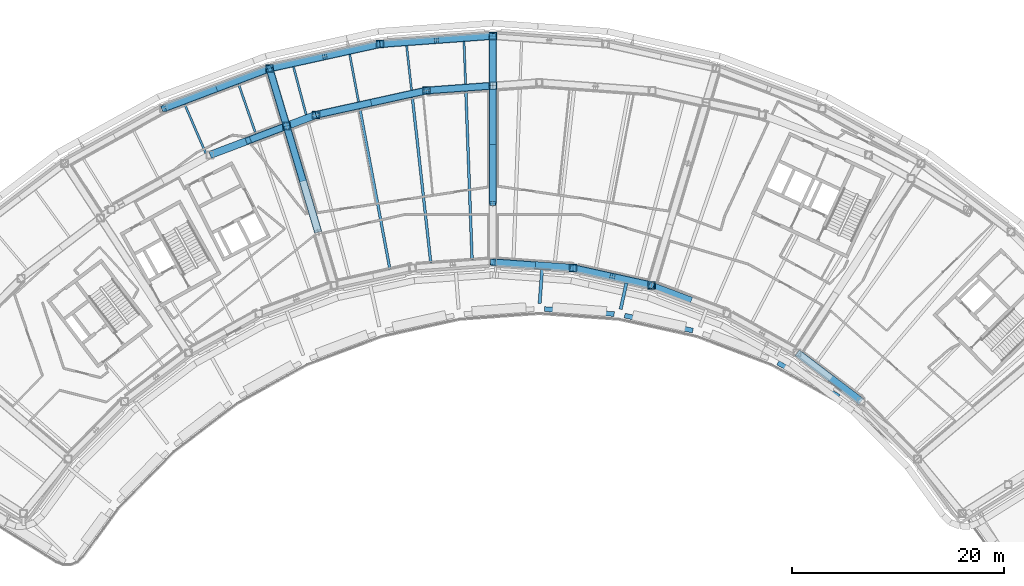
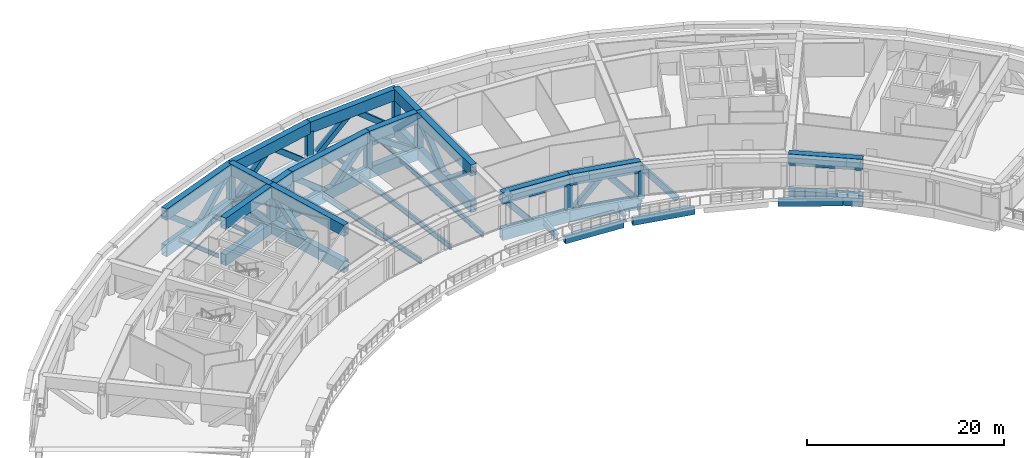
# One storey, part 3 of 26: 42 beams, 29 members.
"""IFC4 building model written with IfcOpenShell, lengths in metres."""

from ifc_helpers import new_model, si_unit, direction, frame, origin, origin_2d, place, context, subcontext, project, spatial, hollow_rectangle, i_section, extrude, material, material_profile, profile_set, type_object, element, save


model = new_model("IFC4")

# Units and contexts
model_context = context("Model", 3, precision=1e-05, world=origin(), true_north=direction((0.0, 1.0)))
body_context = subcontext(model_context, "Body", "Model", "MODEL_VIEW")
ifc_project = project(units=[si_unit("LENGTHUNIT", "METRE"), si_unit("AREAUNIT", "SQUARE_METRE"), si_unit("VOLUMEUNIT", "CUBIC_METRE"), si_unit("PLANEANGLEUNIT", "RADIAN"), si_unit("MASSUNIT", "GRAM", prefix="KILO")], contexts=[model_context])

# Site, building, storey
site_placement = place(None, origin())
site = spatial("IfcSite", under=ifc_project, at=site_placement, CompositionType="ELEMENT")
building_placement = place(site_placement, origin())
building = spatial("IfcBuilding", under=site, at=building_placement, Name="Tuul Gate Civic Tower", CompositionType="ELEMENT")
storey_placement = place(building_placement, frame((0.0, 0.0, 167.60009765625)))
storey = spatial("IfcBuildingStorey", under=building, at=storey_placement, Name="Plant and refuge floor 5", CompositionType="ELEMENT", Elevation=167.60009765625)

# Beams
ifc_material_1 = material(Name="Steel S355", Category="steel")
ifc_material_profile_1 = material_profile(ifc_material_1, i_section(OverallWidth=0.199951171875, OverallDepth=0.5, WebThickness=0.010009765625, FlangeThickness=0.01611328125, at=origin_2d()), Name="PG500x200x10x16")
ifc_profile_set_1 = profile_set([ifc_material_profile_1], Name="Steel S355")
beam_type_1 = type_object("IfcBeamType", Name="STR-FLOOR BEAM-PG500x200x10x16", PredefinedType="BEAM", material=ifc_profile_set_1)
beam_1_placement = place(storey_placement, frame((-1.577880859375, 9.078857421875, -0.650146484375), z_axis=(-0.03700035054, 0.99931525259, 0.0), x_axis=(-0.99931525259, -0.03700035054, 0.0)))
element("IfcBeam", 1, at=beam_1_placement, inside=storey, type_object=beam_type_1, Name="Floor beam", PredefinedType="BEAM", context=body_context, shape_type="SweptSolid", body=[
    extrude(i_section(OverallWidth=0.199951171875, OverallDepth=0.5, WebThickness=0.010009765625, FlangeThickness=0.01611328125, at=origin_2d()), origin(), (0.0, 0.0, 1.0), 3.991943359375),
])
beam_2_placement = place(storey_placement, frame((-6.6787109375, 8.509033203125, -0.650146484375), z_axis=(-0.110763888265, 0.993846749281, 0.0), x_axis=(-0.993846749281, -0.110763888265, 0.0)))
element("IfcBeam", 2, at=beam_2_placement, inside=storey, type_object=beam_type_1, Name="Floor beam", PredefinedType="BEAM", context=body_context, shape_type="SweptSolid", body=[
    extrude(i_section(OverallWidth=0.199951171875, OverallDepth=0.5, WebThickness=0.010009765625, FlangeThickness=0.01611328125, at=origin_2d()), origin(), (0.0, 0.0, 1.0), 4.1923828125),
])
beam_3_placement = place(storey_placement, frame((-11.679443359375, 7.406982421875, -0.650146484375), z_axis=(-0.18394664401, 0.982936229955, 0.0), x_axis=(-0.982936229955, -0.18394664401, 0.0)))
element("IfcBeam", 3, at=beam_3_placement, inside=storey, type_object=beam_type_1, Name="Floor beam", PredefinedType="BEAM", context=body_context, shape_type="SweptSolid", body=[
    extrude(i_section(OverallWidth=0.199951171875, OverallDepth=0.5, WebThickness=0.010009765625, FlangeThickness=0.01611328125, at=origin_2d()), origin(), (0.0, 0.0, 1.0), 4.527099609375),
])
beam_4_placement = place(storey_placement, frame((-16.624267578125, 6.187744140625, -0.650146484375), z_axis=(-0.256121733338, 0.966644535345, 0.0), x_axis=(-0.966644535345, -0.256121733338, 0.0)))
element("IfcBeam", 4, at=beam_4_placement, inside=storey, type_object=beam_type_1, Name="Floor beam", PredefinedType="BEAM", context=body_context, shape_type="SweptSolid", body=[
    extrude(i_section(OverallWidth=0.199951171875, OverallDepth=0.5, WebThickness=0.010009765625, FlangeThickness=0.01611328125, at=origin_2d()), origin(), (0.0, 0.0, 1.0), 4.655517578125),
])
beam_5_placement = place(storey_placement, frame((-21.382080078125, 4.388427734375, -0.650146484375), z_axis=(-0.326956519578, 0.94503938241, 0.0), x_axis=(-0.94503938241, -0.326956519578, 0.0)))
element("IfcBeam", 5, at=beam_5_placement, inside=storey, type_object=beam_type_1, Name="Floor beam", PredefinedType="BEAM", context=body_context, shape_type="SweptSolid", body=[
    extrude(i_section(OverallWidth=0.199951171875, OverallDepth=0.5, WebThickness=0.010009765625, FlangeThickness=0.01611328125, at=origin_2d()), origin(), (0.0, 0.0, 1.0), 4.95361328125),
])
beam_6_placement = place(storey_placement, frame((-26.1025390625, 2.556396484375, -0.650146484375), z_axis=(-0.395921623043, 0.918284306959, 0.0), x_axis=(-0.918284306959, -0.395921623043, 0.0)))
element("IfcBeam", 6, at=beam_6_placement, inside=storey, type_object=beam_type_1, Name="Floor beam", PredefinedType="BEAM", context=body_context, shape_type="SweptSolid", body=[
    extrude(i_section(OverallWidth=0.199951171875, OverallDepth=0.5, WebThickness=0.010009765625, FlangeThickness=0.01611328125, at=origin_2d()), origin(), (0.0, 0.0, 1.0), 5.0009765625),
])
ifc_material_2 = material(Name="Steel S355", Category="steel")
ifc_material_profile_2 = material_profile(ifc_material_2, i_section(OverallWidth=0.25, OverallDepth=0.64990234375, WebThickness=0.011962890625, FlangeThickness=0.02001953125, at=origin_2d()), Name="PG650x250x12x20")
ifc_profile_set_2 = profile_set([ifc_material_profile_2], Name="Steel S355")
beam_type_2 = type_object("IfcBeamType", Name="STR-FLOOR BEAM-PG650x250x12x20", PredefinedType="BEAM", material=ifc_profile_set_2)
beam_7_placement = place(storey_placement, frame((-0.963134765625, -7.53076171875, -0.72509765625), z_axis=(-0.036987838849, 0.999315715766, 0.0), x_axis=(-0.999315715766, -0.036987838849, 0.0)))
element("IfcBeam", 7, at=beam_7_placement, inside=storey, type_object=beam_type_2, Name="Floor beam", PredefinedType="BEAM", context=body_context, shape_type="SweptSolid", body=[
    extrude(i_section(OverallWidth=0.25, OverallDepth=0.64990234375, WebThickness=0.011962890625, FlangeThickness=0.02001953125, at=origin_2d()), origin(), (0.0, 0.0, 1.0), 15.920654296875),
])
beam_8_placement = place(storey_placement, frame((-4.859130859375, -7.813232421875, -0.72509765625), z_axis=(-0.110782671458, 0.993844655721, 0.0), x_axis=(-0.993844655721, -0.110782671458, 0.0)))
element("IfcBeam", 8, at=beam_8_placement, inside=storey, type_object=beam_type_2, Name="Floor beam", PredefinedType="BEAM", context=body_context, shape_type="SweptSolid", body=[
    extrude(i_section(OverallWidth=0.25, OverallDepth=0.64990234375, WebThickness=0.011962890625, FlangeThickness=0.02001953125, at=origin_2d()), origin(), (0.0, 0.0, 1.0), 15.719482421875),
])
beam_9_placement = place(storey_placement, frame((-8.720458984375, -8.40185546875, -0.72509765625), z_axis=(-0.183972310751, 0.982931426335, 0.0), x_axis=(-0.982931426335, -0.183972310751, 0.0)))
element("IfcBeam", 9, at=beam_9_placement, inside=storey, type_object=beam_type_2, Name="Floor beam", PredefinedType="BEAM", context=body_context, shape_type="SweptSolid", body=[
    extrude(i_section(OverallWidth=0.25, OverallDepth=0.64990234375, WebThickness=0.011962890625, FlangeThickness=0.02001953125, at=origin_2d()), origin(), (0.0, 0.0, 1.0), 15.383056640625),
])
ifc_material_3 = material(Name="Steel S355", Category="steel")
ifc_material_profile_3 = material_profile(ifc_material_3, i_section(OverallWidth=0.300048828125, OverallDepth=0.800048828125, WebThickness=0.013916015625, FlangeThickness=0.02490234375, at=origin_2d()), Name="PG800x300x14x25")
ifc_profile_set_3 = profile_set([ifc_material_profile_3], Name="Steel S355")
beam_type_3 = type_object("IfcBeamType", Name="STR-FLOOR BEAM-PG800x300x14x25", PredefinedType="BEAM", material=ifc_profile_set_3)
beam_10_placement = place(storey_placement, frame((5.41015625, -11.625244140625, -0.800048828125), z_axis=(0.07229696646, 0.997383150369, 0.0), x_axis=(-0.997383150369, 0.07229696646, 0.0)))
element("IfcBeam", 10, at=beam_10_placement, inside=storey, type_object=beam_type_3, Name="Terrace beam", PredefinedType="BEAM", context=body_context, shape_type="SweptSolid", body=[
    extrude(i_section(OverallWidth=0.300048828125, OverallDepth=0.800048828125, WebThickness=0.013916015625, FlangeThickness=0.02490234375, at=origin_2d()), origin(), (0.0, 0.0, 1.0), 3.25537109375),
])
beam_11_placement = place(storey_placement, frame((13.0537109375, -12.184814453125, -0.800048828125), z_axis=(0.215208632536, 0.976568095159, 0.0), x_axis=(-0.976568095159, 0.215208632536, 0.0)))
element("IfcBeam", 11, at=beam_11_placement, inside=storey, type_object=beam_type_3, Name="Terrace beam", PredefinedType="BEAM", context=body_context, shape_type="SweptSolid", body=[
    extrude(i_section(OverallWidth=0.300048828125, OverallDepth=0.800048828125, WebThickness=0.013916015625, FlangeThickness=0.02490234375, at=origin_2d()), origin(), (0.0, 0.0, 1.0), 2.537841796875),
])
ifc_material_4 = material(Name="Steel S355", Category="steel")
ifc_material_profile_4 = material_profile(ifc_material_4, hollow_rectangle(XDim=0.449951171875, YDim=0.89990234375, WallThickness=0.02490234375, at=origin_2d()), Name="BOX900x450x25")
ifc_profile_set_4 = profile_set([ifc_material_profile_4], Name="Steel S355")
beam_type_4 = type_object("IfcBeamType", Name="STR-SPANDREL BEAM-BOX900x450x25", PredefinedType="BEAM", material=ifc_profile_set_4)
beam_12_placement = place(storey_placement, frame((5.872802734375, -12.16015625, -0.85009765625), z_axis=(0.997380460519, -0.072334065112, 0.0), x_axis=(0.072334065112, 0.997380460519, 0.0)))
element("IfcBeam", 12, at=beam_12_placement, inside=storey, type_object=beam_type_4, Name="Terrace edge beam", PredefinedType="BEAM", context=body_context, shape_type="SweptSolid", body=[
    extrude(hollow_rectangle(XDim=0.449951171875, YDim=0.89990234375, WallThickness=0.02490234375, at=origin_2d()), origin(), (0.0, 0.0, 1.0), 6.591796875),
])
beam_13_placement = place(storey_placement, frame((13.434326171875, -12.780517578125, -0.85009765625), z_axis=(0.97655858912, -0.215251764258, 0.0), x_axis=(0.215251764258, 0.97655858912, 0.0)))
element("IfcBeam", 13, at=beam_13_placement, inside=storey, type_object=beam_type_4, Name="Terrace edge beam", PredefinedType="BEAM", context=body_context, shape_type="SweptSolid", body=[
    extrude(hollow_rectangle(XDim=0.449951171875, YDim=0.89990234375, WallThickness=0.02490234375, at=origin_2d()), origin(), (0.0, 0.0, 1.0), 6.592041015625),
])
beam_14_placement = place(storey_placement, frame((27.8984375, -17.234375, -0.85009765625), z_axis=(0.874642541027, -0.484768424535, 0.0), x_axis=(0.484768424535, 0.874642541027, 0.0)))
element("IfcBeam", 14, at=beam_14_placement, inside=storey, type_object=beam_type_4, Name="Terrace edge beam", PredefinedType="BEAM", context=body_context, shape_type="SweptSolid", body=[
    extrude(hollow_rectangle(XDim=0.449951171875, YDim=0.89990234375, WallThickness=0.02490234375, at=origin_2d()), origin(), (0.0, 0.0, 1.0), 6.59130859375),
])
ifc_material_5 = material(Name="Steel S460", Category="steel")
ifc_material_profile_5 = material_profile(ifc_material_5, hollow_rectangle(XDim=0.699951171875, YDim=1.39990234375, WallThickness=0.0400390625, at=origin_2d()), Name="BOX1400x700x40")
ifc_profile_set_5 = profile_set([ifc_material_profile_5], Name="Steel S460")
beam_type_5 = type_object("IfcBeamType", Name="STR-TRANSFER TRUSS CHORD-BOX1400x700x40", PredefinedType="BEAM", material=ifc_profile_set_5)
beam_15_placement = place(storey_placement, frame((-20.0869140625, 10.5458984375, -1.10009765625), z_axis=(0.285204587303, -0.958466662634, 0.0), x_axis=(0.958466662634, 0.285204587303, 0.0)))
element("IfcBeam", 15, at=beam_15_placement, inside=storey, type_object=beam_type_5, Name="Radial truss bottom chord", PredefinedType="BEAM", context=body_context, shape_type="SweptSolid", body=[
    extrude(hollow_rectangle(XDim=0.699951171875, YDim=1.39990234375, WallThickness=0.0400390625, at=origin_2d()), origin(), (0.0, 0.0, 1.0), 5.666015625),
])
beam_16_placement = place(storey_placement, frame((-18.470947265625, 5.115234375, -1.10009765625), z_axis=(0.28522296399, -0.958461194213, 0.0), x_axis=(0.958461194213, 0.28522296399, 0.0)))
element("IfcBeam", 16, at=beam_16_placement, inside=storey, type_object=beam_type_5, Name="Radial truss bottom chord", PredefinedType="BEAM", context=body_context, shape_type="SweptSolid", body=[
    extrude(hollow_rectangle(XDim=0.699951171875, YDim=1.39990234375, WallThickness=0.0400390625, at=origin_2d()), origin(), (0.0, 0.0, 1.0), 10.4599609375),
])
beam_17_placement = place(storey_placement, frame((-20.0869140625, 10.5458984375, 3.39990234375), z_axis=(0.285204587303, -0.958466662634, 0.0), x_axis=(0.958466662634, 0.285204587303, 0.0)))
element("IfcBeam", 17, at=beam_17_placement, inside=storey, type_object=beam_type_5, Name="Radial truss top chord", PredefinedType="BEAM", context=body_context, shape_type="SweptSolid", body=[
    extrude(hollow_rectangle(XDim=0.699951171875, YDim=1.39990234375, WallThickness=0.0400390625, at=origin_2d()), origin(), (0.0, 0.0, 1.0), 5.666015625),
])
beam_18_placement = place(storey_placement, frame((-18.470947265625, 5.115234375, 3.39990234375), z_axis=(0.28522296399, -0.958461194213, 0.0), x_axis=(0.958461194213, 0.28522296399, 0.0)))
element("IfcBeam", 18, at=beam_18_placement, inside=storey, type_object=beam_type_5, Name="Radial truss top chord", PredefinedType="BEAM", context=body_context, shape_type="SweptSolid", body=[
    extrude(hollow_rectangle(XDim=0.699951171875, YDim=1.39990234375, WallThickness=0.0400390625, at=origin_2d()), origin(), (0.0, 0.0, 1.0), 10.4599609375),
])
beam_19_placement = place(storey_placement, frame((0.989990234375, 13.615966796875, -1.10009765625), z_axis=(0.0, -1.0, 0.0), x_axis=(1.0, 0.0, 0.0)))
element("IfcBeam", 19, at=beam_19_placement, inside=storey, type_object=beam_type_5, Name="Radial truss bottom chord", PredefinedType="BEAM", context=body_context, shape_type="SweptSolid", body=[
    extrude(hollow_rectangle(XDim=0.699951171875, YDim=1.39990234375, WallThickness=0.0400390625, at=origin_2d()), origin(), (0.0, 0.0, 1.0), 4.701904296875),
])
beam_20_placement = place(storey_placement, frame((0.989990234375, 8.9140625, -1.10009765625), z_axis=(0.0, -1.0, 0.0), x_axis=(1.0, 0.0, 0.0)))
element("IfcBeam", 20, at=beam_20_placement, inside=storey, type_object=beam_type_5, Name="Radial truss bottom chord", PredefinedType="BEAM", context=body_context, shape_type="SweptSolid", body=[
    extrude(hollow_rectangle(XDim=0.699951171875, YDim=1.39990234375, WallThickness=0.0400390625, at=origin_2d()), origin(), (0.0, 0.0, 1.0), 11.102783203125),
])
beam_21_placement = place(storey_placement, frame((0.989990234375, 13.615966796875, 3.39990234375), z_axis=(0.0, -1.0, 0.0), x_axis=(1.0, 0.0, 0.0)))
element("IfcBeam", 21, at=beam_21_placement, inside=storey, type_object=beam_type_5, Name="Radial truss top chord", PredefinedType="BEAM", context=body_context, shape_type="SweptSolid", body=[
    extrude(hollow_rectangle(XDim=0.699951171875, YDim=1.39990234375, WallThickness=0.0400390625, at=origin_2d()), origin(), (0.0, 0.0, 1.0), 4.701904296875),
])
beam_22_placement = place(storey_placement, frame((0.989990234375, 8.9140625, 3.39990234375), z_axis=(0.0, -1.0, 0.0), x_axis=(1.0, 0.0, 0.0)))
element("IfcBeam", 22, at=beam_22_placement, inside=storey, type_object=beam_type_5, Name="Radial truss top chord", PredefinedType="BEAM", context=body_context, shape_type="SweptSolid", body=[
    extrude(hollow_rectangle(XDim=0.699951171875, YDim=1.39990234375, WallThickness=0.0400390625, at=origin_2d()), origin(), (0.0, 0.0, 1.0), 11.102783203125),
])
for number, where, z_axis, x_axis, name in (
    (23, (-5.27490234375, 8.4599609375, -1.10009765625), (-0.9765717726, -0.21519194446, 0.0), (0.21519194446, -0.9765717726, 0.0), "Belt truss bottom chord"),
    (24, (-5.27490234375, 8.4599609375, 3.39990234375), (-0.9765717726, -0.21519194446, 0.0), (0.21519194446, -0.9765717726, 0.0), "Belt truss top chord"),
):
    element("IfcBeam", number, at=place(storey_placement, frame(where, z_axis=z_axis, x_axis=x_axis)), inside=storey, type_object=beam_type_5, Name=name, PredefinedType="BEAM", context=body_context, shape_type="SweptSolid", body=[
        extrude(hollow_rectangle(XDim=0.699951171875, YDim=1.39990234375, WallThickness=0.0400390625, at=origin_2d()), origin(), (0.0, 0.0, 1.0), 10.67822265625),
    ])
for number, where, z_axis, x_axis, name in (
    (25, (0.989990234375, 13.615966796875, -1.10009765625), (-0.997383171444, -0.072296675717, 0.0), (0.072296675717, -0.997383171444, 0.0), "Belt truss bottom chord"),
    (26, (0.989990234375, 13.615966796875, 3.39990234375), (-0.997383171444, -0.072296675717, 0.0), (0.072296675717, -0.997383171444, 0.0), "Belt truss top chord"),
):
    element("IfcBeam", number, at=place(storey_placement, frame(where, z_axis=z_axis, x_axis=x_axis)), inside=storey, type_object=beam_type_5, Name=name, PredefinedType="BEAM", context=body_context, shape_type="SweptSolid", body=[
        extrude(hollow_rectangle(XDim=0.699951171875, YDim=1.39990234375, WallThickness=0.0400390625, at=origin_2d()), origin(), (0.0, 0.0, 1.0), 10.677734375),
    ])
beam_23_placement = place(storey_placement, frame((-15.702880859375, 6.162109375, -1.10009765625), z_axis=(-0.935333133684, -0.353768185444, 0.0), x_axis=(0.353768185444, -0.935333133684, 0.0)))
element("IfcBeam", 27, at=beam_23_placement, inside=storey, type_object=beam_type_5, Name="Belt truss bottom chord", PredefinedType="BEAM", context=body_context, shape_type="SweptSolid", body=[
    extrude(hollow_rectangle(XDim=0.699951171875, YDim=1.39990234375, WallThickness=0.0400390625, at=origin_2d()), origin(), (0.0, 0.0, 1.0), 2.608642578125),
])
beam_24_placement = place(storey_placement, frame((-18.799072265625, 4.990966796875, -1.10009765625), z_axis=(-0.9353490904, -0.353725994364, 0.0), x_axis=(0.353725994364, -0.9353490904, 0.0)))
element("IfcBeam", 28, at=beam_24_placement, inside=storey, type_object=beam_type_5, Name="Belt truss bottom chord", PredefinedType="BEAM", context=body_context, shape_type="SweptSolid", body=[
    extrude(hollow_rectangle(XDim=0.699951171875, YDim=1.39990234375, WallThickness=0.0400390625, at=origin_2d()), origin(), (0.0, 0.0, 1.0), 7.3671875),
])
beam_25_placement = place(storey_placement, frame((-15.702880859375, 6.162109375, 3.39990234375), z_axis=(-0.935333133684, -0.353768185444, 0.0), x_axis=(0.353768185444, -0.935333133684, 0.0)))
element("IfcBeam", 29, at=beam_25_placement, inside=storey, type_object=beam_type_5, Name="Belt truss top chord", PredefinedType="BEAM", context=body_context, shape_type="SweptSolid", body=[
    extrude(hollow_rectangle(XDim=0.699951171875, YDim=1.39990234375, WallThickness=0.0400390625, at=origin_2d()), origin(), (0.0, 0.0, 1.0), 2.608642578125),
])
beam_26_placement = place(storey_placement, frame((-18.799072265625, 4.990966796875, 3.39990234375), z_axis=(-0.9353490904, -0.353725994364, 0.0), x_axis=(0.353725994364, -0.9353490904, 0.0)))
element("IfcBeam", 30, at=beam_26_placement, inside=storey, type_object=beam_type_5, Name="Belt truss top chord", PredefinedType="BEAM", context=body_context, shape_type="SweptSolid", body=[
    extrude(hollow_rectangle(XDim=0.699951171875, YDim=1.39990234375, WallThickness=0.0400390625, at=origin_2d()), origin(), (0.0, 0.0, 1.0), 7.3671875),
])
for number, where, z_axis, x_axis, name in (
    (31, (-9.659912109375, 12.843994140625, -1.10009765625), (-0.976562731161, -0.215232971702, 0.0), (0.215232971702, -0.976562731161, 0.0), "Belt truss bottom chord"),
    (32, (-9.659912109375, 12.843994140625, 3.39990234375), (-0.976562731161, -0.215232971702, 0.0), (0.215232971702, -0.976562731161, 0.0), "Belt truss top chord"),
):
    element("IfcBeam", number, at=place(storey_placement, frame(where, z_axis=z_axis, x_axis=x_axis)), inside=storey, type_object=beam_type_5, Name=name, PredefinedType="BEAM", context=body_context, shape_type="SweptSolid", body=[
        extrude(hollow_rectangle(XDim=0.699951171875, YDim=1.39990234375, WallThickness=0.0400390625, at=origin_2d()), origin(), (0.0, 0.0, 1.0), 10.67724609375),
    ])
for number, where, z_axis, x_axis, name in (
    (33, (-20.0869140625, 10.5458984375, -1.10009765625), (-0.93537950072, -0.353645570639, 0.0), (0.353645570639, -0.93537950072, 0.0), "Belt truss bottom chord"),
    (34, (-20.0869140625, 10.5458984375, 3.39990234375), (-0.93537950072, -0.353645570639, 0.0), (0.353645570639, -0.93537950072, 0.0), "Belt truss top chord"),
):
    element("IfcBeam", number, at=place(storey_placement, frame(where, z_axis=z_axis, x_axis=x_axis)), inside=storey, type_object=beam_type_5, Name=name, PredefinedType="BEAM", context=body_context, shape_type="SweptSolid", body=[
        extrude(hollow_rectangle(XDim=0.699951171875, YDim=1.39990234375, WallThickness=0.0400390625, at=origin_2d()), origin(), (0.0, 0.0, 1.0), 10.677001953125),
    ])
for number, where, z_axis, x_axis, name in (
    (35, (0.639892578125, 8.888916015625, -1.10009765625), (-0.997380579412, -0.072332425724, 0.0), (0.072332425724, -0.997380579412, 0.0), "Belt truss bottom chord"),
    (36, (0.639892578125, 8.888916015625, 3.39990234375), (-0.997380579412, -0.072332425724, 0.0), (0.072332425724, -0.997380579412, 0.0), "Belt truss top chord"),
):
    element("IfcBeam", number, at=place(storey_placement, frame(where, z_axis=z_axis, x_axis=x_axis)), inside=storey, type_object=beam_type_5, Name=name, PredefinedType="BEAM", context=body_context, shape_type="SweptSolid", body=[
        extrude(hollow_rectangle(XDim=0.699951171875, YDim=1.39990234375, WallThickness=0.0400390625, at=origin_2d()), origin(), (0.0, 0.0, 1.0), 5.930419921875),
    ])
for number, where, z_axis, x_axis, name in (
    (37, (29.716064453125, -16.2880859375, -1.10009765625), (0.795673036057, -0.605726357105, 0.0), (0.605726357105, 0.795673036057, 0.0), "Belt truss bottom chord"),
    (38, (29.716064453125, -16.2880859375, 3.39990234375), (0.795673036057, -0.605726357105, 0.0), (0.605726357105, 0.795673036057, 0.0), "Belt truss top chord"),
):
    element("IfcBeam", number, at=place(storey_placement, frame(where, z_axis=z_axis, x_axis=x_axis)), inside=storey, type_object=beam_type_5, Name=name, PredefinedType="BEAM", context=body_context, shape_type="SweptSolid", body=[
        extrude(hollow_rectangle(XDim=0.699951171875, YDim=1.39990234375, WallThickness=0.0400390625, at=origin_2d()), origin(), (0.0, 0.0, 1.0), 7.59228515625),
    ])
for number, where, z_axis, x_axis, name in (
    (39, (8.56201171875, -8.2890625, -1.10009765625), (0.976563150076, -0.215231070978, 0.0), (0.215231070978, 0.976563150076, 0.0), "Belt truss bottom chord"),
    (40, (8.56201171875, -8.2890625, 3.39990234375), (0.976563150076, -0.215231070978, 0.0), (0.215231070978, 0.976563150076, 0.0), "Belt truss top chord"),
):
    element("IfcBeam", number, at=place(storey_placement, frame(where, z_axis=z_axis, x_axis=x_axis)), inside=storey, type_object=beam_type_5, Name=name, PredefinedType="BEAM", context=body_context, shape_type="SweptSolid", body=[
        extrude(hollow_rectangle(XDim=0.699951171875, YDim=1.39990234375, WallThickness=0.0400390625, at=origin_2d()), origin(), (0.0, 0.0, 1.0), 7.592041015625),
    ])
for number, where, z_axis, x_axis, name in (
    (41, (0.989990234375, -7.739990234375, -1.10009765625), (0.997381233603, -0.072323404623, 0.0), (0.072323404623, 0.997381233603, 0.0), "Belt truss bottom chord"),
    (42, (0.989990234375, -7.739990234375, 3.39990234375), (0.997381233603, -0.072323404623, 0.0), (0.072323404623, 0.997381233603, 0.0), "Belt truss top chord"),
):
    element("IfcBeam", number, at=place(storey_placement, frame(where, z_axis=z_axis, x_axis=x_axis)), inside=storey, type_object=beam_type_5, Name=name, PredefinedType="BEAM", context=body_context, shape_type="SweptSolid", body=[
        extrude(hollow_rectangle(XDim=0.699951171875, YDim=1.39990234375, WallThickness=0.0400390625, at=origin_2d()), origin(), (0.0, 0.0, 1.0), 7.591796875),
    ])

# Members
ifc_material_6 = material(Name="Steel S355", Category="steel")
ifc_material_profile_6 = material_profile(ifc_material_6, hollow_rectangle(XDim=0.60009765625, YDim=0.60009765625, WallThickness=0.02490234375, at=origin_2d()), Name="BOX600x600x25")
ifc_profile_set_6 = profile_set([ifc_material_profile_6], Name="Steel S355")
member_type_1 = type_object("IfcMemberType", Name="STR-TRANSFER TRUSS DIAGONAL-BOX600x600x25", PredefinedType="BRACE", material=ifc_profile_set_6)
member_1_placement = place(storey_placement, frame((-20.088134765625, 10.5498046875, -1.103271484375), z_axis=(0.223354231526, -0.750556473294, 0.62191467876), x_axis=(0.958461040681, 0.285223479919, 0.0)))
element("IfcMember", 43, at=member_1_placement, inside=storey, type_object=member_type_1, Name="Radial truss web", PredefinedType="BRACE", context=body_context, shape_type="SweptSolid", body=[
    extrude(hollow_rectangle(XDim=0.60009765625, YDim=0.60009765625, WallThickness=0.02490234375, at=origin_2d()), origin(), (0.0, 0.0, 1.0), 7.245849609375),
])
member_2_placement = place(storey_placement, frame((-16.978271484375, 0.098876953125, -1.103271484375), z_axis=(-0.216179220089, 0.72655722842, 0.652212494999), x_axis=(-0.958473012928, -0.285183245457, 0.0)))
element("IfcMember", 44, at=member_2_placement, inside=storey, type_object=member_type_1, Name="Radial truss web", PredefinedType="BRACE", context=body_context, shape_type="SweptSolid", body=[
    extrude(hollow_rectangle(XDim=0.60009765625, YDim=0.60009765625, WallThickness=0.02490234375, at=origin_2d()), origin(), (0.0, 0.0, 1.0), 6.909423828125),
])
member_3_placement = place(storey_placement, frame((0.989990234375, 13.61962890625, -1.103515625), z_axis=(0.0, -0.722443346027, 0.691430120679), x_axis=(1.0, 0.0, 0.0)))
element("IfcMember", 45, at=member_3_placement, inside=storey, type_object=member_type_1, Name="Radial truss web", PredefinedType="BRACE", context=body_context, shape_type="SweptSolid", body=[
    extrude(hollow_rectangle(XDim=0.60009765625, YDim=0.60009765625, WallThickness=0.02490234375, at=origin_2d()), origin(), (0.0, 0.0, 1.0), 6.51806640625),
])
for number, where, z_axis, x_axis, name in (
    (46, (0.989990234375, 3.35888671875, -1.103271484375), (0.0, 0.77682520927, 0.629716280751), (-1.0, 0.0, 0.0), "Radial truss web"),
    (47, (0.989990234375, 3.36669921875, -1.103271484375), (0.0, -0.77682520927, 0.629716280751), (1.0, 0.0, 0.0), "Radial truss web"),
):
    element("IfcMember", number, at=place(storey_placement, frame(where, z_axis=z_axis, x_axis=x_axis)), inside=storey, type_object=member_type_1, Name=name, PredefinedType="BRACE", context=body_context, shape_type="SweptSolid", body=[
        extrude(hollow_rectangle(XDim=0.60009765625, YDim=0.60009765625, WallThickness=0.02490234375, at=origin_2d()), origin(), (0.0, 0.0, 1.0), 7.15625),
    ])
for number, where, z_axis, x_axis, name in (
    (48, (-10.49267578125, 7.31005859375, -1.103271484375), (0.746719234227, 0.164587575169, 0.644454277148), (-0.215247648816, 0.976559496231, 0.0), "Belt truss web"),
    (49, (-10.4853515625, 7.311767578125, -1.103271484375), (-0.746723524842, -0.16455360605, 0.644457980153), (0.215204102376, -0.97656909347, 0.0), "Belt truss web"),
    (50, (0.993896484375, 13.6162109375, -1.103271484375), (-0.76264171349, -0.055269964403, 0.644455466172), (0.072282160226, -0.997384223513, 0.0), "Belt truss web"),
):
    element("IfcMember", number, at=place(storey_placement, frame(where, z_axis=z_axis, x_axis=x_axis)), inside=storey, type_object=member_type_1, Name=name, PredefinedType="BRACE", context=body_context, shape_type="SweptSolid", body=[
        extrude(hollow_rectangle(XDim=0.60009765625, YDim=0.60009765625, WallThickness=0.02490234375, at=origin_2d()), origin(), (0.0, 0.0, 1.0), 6.992431640625),
    ])
member_4_placement = place(storey_placement, frame((-9.663818359375, 12.84375, -1.103271484375), z_axis=(0.762627105379, 0.055271436124, 0.644472626641), x_axis=(-0.072285452254, 0.997383984929, 0.0)))
element("IfcMember", 51, at=member_4_placement, inside=storey, type_object=member_type_1, Name="Belt truss web", PredefinedType="BRACE", context=body_context, shape_type="SweptSolid", body=[
    extrude(hollow_rectangle(XDim=0.60009765625, YDim=0.60009765625, WallThickness=0.02490234375, at=origin_2d()), origin(), (0.0, 0.0, 1.0), 6.9921875),
])
member_5_placement = place(storey_placement, frame((-18.4736328125, 5.1142578125, -1.104248046875), z_axis=(0.513947358723, 0.19437607651, 0.835509457363), x_axis=(-0.35374803141, 0.935340756235, 0.0)))
element("IfcMember", 52, at=member_5_placement, inside=storey, type_object=member_type_1, Name="Belt truss web", PredefinedType="BRACE", context=body_context, shape_type="SweptSolid", body=[
    extrude(hollow_rectangle(XDim=0.60009765625, YDim=0.60009765625, WallThickness=0.02490234375, at=origin_2d()), origin(), (0.0, 0.0, 1.0), 5.395751953125),
])
member_6_placement = place(storey_placement, frame((-18.468017578125, 5.116455078125, -1.10400390625), z_axis=(-0.60885343378, -0.230278079722, 0.759124167824), x_axis=(0.353759195504, -0.935336533872, 0.0)))
element("IfcMember", 53, at=member_6_placement, inside=storey, type_object=member_type_1, Name="Belt truss web", PredefinedType="BRACE", context=body_context, shape_type="SweptSolid", body=[
    extrude(hollow_rectangle(XDim=0.60009765625, YDim=0.60009765625, WallThickness=0.02490234375, at=origin_2d()), origin(), (0.0, 0.0, 1.0), 5.938232421875),
])
for number, where, z_axis, x_axis, name in (
    (54, (-9.65625, 12.8447265625, -1.103271484375), (-0.746692629504, -0.164562186713, 0.644491585475), (0.215223296771, -0.976564863451, 0.0), "Belt truss web"),
    (55, (-20.0908203125, 10.545166015625, -1.103271484375), (0.746692629504, 0.164562186713, 0.644491585475), (-0.215223296771, 0.976564863451, 0.0), "Belt truss web"),
):
    element("IfcMember", number, at=place(storey_placement, frame(where, z_axis=z_axis, x_axis=x_axis)), inside=storey, type_object=member_type_1, Name=name, PredefinedType="BRACE", context=body_context, shape_type="SweptSolid", body=[
        extrude(hollow_rectangle(XDim=0.60009765625, YDim=0.60009765625, WallThickness=0.02490234375, at=origin_2d()), origin(), (0.0, 0.0, 1.0), 6.9921875),
    ])
member_7_placement = place(storey_placement, frame((-25.083984375, 8.65673828125, -1.103271484375), z_axis=(0.715184138336, 0.270402595805, 0.644510732614), x_axis=(-0.353654552993, 0.935376104649, 0.0)))
element("IfcMember", 56, at=member_7_placement, inside=storey, type_object=member_type_1, Name="Belt truss web", PredefinedType="BRACE", context=body_context, shape_type="SweptSolid", body=[
    extrude(hollow_rectangle(XDim=0.60009765625, YDim=0.60009765625, WallThickness=0.02490234375, at=origin_2d()), origin(), (0.0, 0.0, 1.0), 6.991943359375),
])
member_8_placement = place(storey_placement, frame((-25.076904296875, 8.659423828125, -1.103271484375), z_axis=(-0.715194442581, -0.270428206698, 0.644488552515), x_axis=(0.353679400772, -0.935366709622, 0.0)))
element("IfcMember", 57, at=member_8_placement, inside=storey, type_object=member_type_1, Name="Belt truss web", PredefinedType="BRACE", context=body_context, shape_type="SweptSolid", body=[
    extrude(hollow_rectangle(XDim=0.60009765625, YDim=0.60009765625, WallThickness=0.02490234375, at=origin_2d()), origin(), (0.0, 0.0, 1.0), 6.9921875),
])
member_9_placement = place(storey_placement, frame((0.994140625, 8.91455078125, -1.10302734375), z_axis=(-0.810794688632, -0.058786164815, 0.582371152885), x_axis=(0.07231455279, -0.997381875439, 0.0)))
element("IfcMember", 58, at=member_9_placement, inside=storey, type_object=member_type_1, Name="Belt truss web", PredefinedType="BRACE", context=body_context, shape_type="SweptSolid", body=[
    extrude(hollow_rectangle(XDim=0.60009765625, YDim=0.60009765625, WallThickness=0.02490234375, at=origin_2d()), origin(), (0.0, 0.0, 1.0), 7.737060546875),
])
for number, where, z_axis, x_axis, name in (
    (59, (8.558837890625, -8.288330078125, -1.10400390625), (0.629664261587, -0.138766246209, 0.764373499405), (0.215216968894, 0.976566258018, 0.0), "Belt truss web"),
    (60, (15.979248046875, -9.923583984375, -1.10400390625), (-0.629664261587, 0.138766246209, 0.764373499405), (-0.215216968894, -0.976566258018, 0.0), "Belt truss web"),
    (61, (4.779296875, -8.0146484375, -1.10400390625), (-0.643081070077, 0.046614476948, 0.764378066043), (-0.072296476587, -0.997383185878, 0.0), "Belt truss web"),
):
    element("IfcMember", number, at=place(storey_placement, frame(where, z_axis=z_axis, x_axis=x_axis)), inside=storey, type_object=member_type_1, Name=name, PredefinedType="BRACE", context=body_context, shape_type="SweptSolid", body=[
        extrude(hollow_rectangle(XDim=0.60009765625, YDim=0.60009765625, WallThickness=0.02490234375, at=origin_2d()), origin(), (0.0, 0.0, 1.0), 5.8974609375),
    ])
member_10_placement = place(storey_placement, frame((19.529541015625, -11.2666015625, -1.10400390625), z_axis=(-0.603094632045, 0.228023423483, 0.764383531444), x_axis=(-0.353655277079, -0.93537583088, 0.0)))
element("IfcMember", 62, at=member_10_placement, inside=storey, type_object=member_type_1, Name="Belt truss web", PredefinedType="BRACE", context=body_context, shape_type="SweptSolid", body=[
    extrude(hollow_rectangle(XDim=0.60009765625, YDim=0.60009765625, WallThickness=0.02490234375, at=origin_2d()), origin(), (0.0, 0.0, 1.0), 5.897216796875),
])
ifc_material_7 = material(Name="Steel S355", Category="steel")
ifc_material_profile_7 = material_profile(ifc_material_7, hollow_rectangle(XDim=0.699951171875, YDim=0.699951171875, WallThickness=0.030029296875, at=origin_2d()), Name="BOX700x700x30")
ifc_profile_set_7 = profile_set([ifc_material_profile_7], Name="Steel S355")
member_type_2 = type_object("IfcMemberType", Name="STR-TRUSS POST-BOX700x700x30", PredefinedType="POST", material=ifc_profile_set_7)
for number, where, z_axis, x_axis, name in (
    (63, (-20.0869140625, 10.5458984375, -0.6201171875), (0.0, 0.0, 1.0), (1.0, 0.0, 0.0), "Radial truss post"),
    (64, (-18.470947265625, 5.115234375, -0.6201171875), (0.0, 0.0, 1.0), (1.0, 0.0, 0.0), "Radial truss post"),
    (65, (15.97607421875, -9.923095703125, -0.6201171875), (0.0, 0.0, 1.0), (1.0, 0.0, 0.0), "Radial truss post"),
    (66, (0.989990234375, 13.615966796875, -0.6201171875), (0.0, 0.0, 1.0), (1.0, 0.0, 0.0), "Radial truss post"),
    (67, (0.989990234375, 8.9140625, -0.6201171875), (0.0, 0.0, 1.0), (1.0, 0.0, 0.0), "Radial truss post"),
    (68, (-5.27490234375, 8.4599609375, -0.6201171875), (0.0, 0.0, 1.0), (1.0, 0.0, 0.0), "Belt truss post"),
    (69, (-15.702880859375, 6.162109375, -0.6201171875), (0.0, 0.0, 1.0), (1.0, 0.0, 0.0), "Belt truss post"),
    (70, (-9.659912109375, 12.843994140625, -0.6201171875), (0.0, 0.0, 1.0), (1.0, 0.0, 0.0), "Belt truss post"),
    (71, (8.56201171875, -8.2890625, -0.6201171875), (0.0, 0.0, 1.0), (1.0, 0.0, 0.0), "Belt truss post"),
):
    element("IfcMember", number, at=place(storey_placement, frame(where, z_axis=z_axis, x_axis=x_axis)), inside=storey, type_object=member_type_2, Name=name, PredefinedType="POST", context=body_context, shape_type="SweptSolid", body=[
        extrude(hollow_rectangle(XDim=0.699951171875, YDim=0.699951171875, WallThickness=0.030029296875, at=origin_2d()), origin(), (0.0, 0.0, 1.0), 3.5400390625),
    ])

save(model, "model.ifc")
